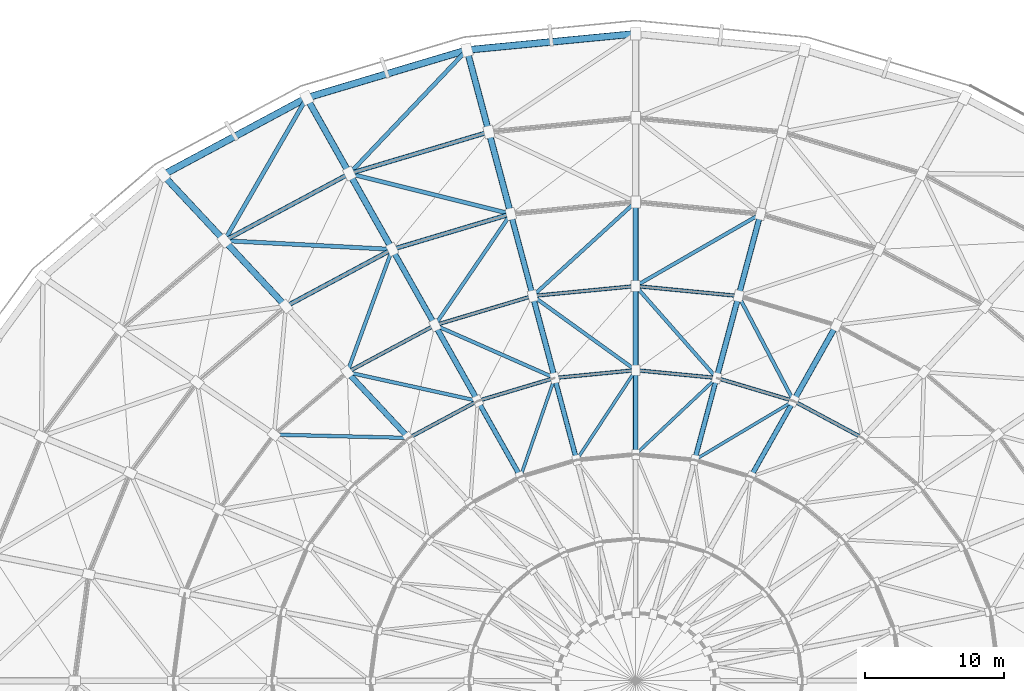
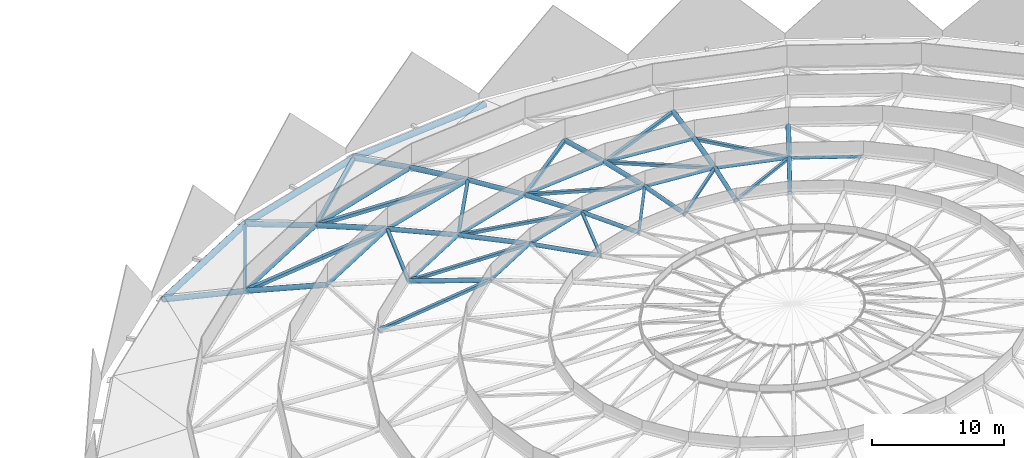
# One storey, part 14 of 27: 53 members, 3 beams.
"""IFC4 building model written with IfcOpenShell, lengths in metres."""

from ifc_helpers import new_model, si_unit, direction, frame, origin, origin_2d, place, context, subcontext, project, spatial, hollow_rectangle, hollow_circle, extrude, material, material_profile, profile_set, type_object, element, save


model = new_model("IFC4")

# Units and contexts
model_context = context("Model", 3, precision=1e-05, world=origin(), true_north=direction((0.0, 1.0)))
body_context = subcontext(model_context, "Body", "Model", "MODEL_VIEW")
ifc_project = project(units=[si_unit("LENGTHUNIT", "METRE"), si_unit("AREAUNIT", "SQUARE_METRE"), si_unit("VOLUMEUNIT", "CUBIC_METRE"), si_unit("PLANEANGLEUNIT", "RADIAN"), si_unit("MASSUNIT", "GRAM", prefix="KILO")], contexts=[model_context])

# Site, building, storey
site_placement = place(None, origin())
site = spatial("IfcSite", under=ifc_project, at=site_placement, CompositionType="ELEMENT")
building_placement = place(site_placement, origin())
building = spatial("IfcBuilding", under=site, at=building_placement, Name="Cuetzalor Civic Arena", CompositionType="ELEMENT")
storey_placement = place(building_placement, frame((0.0, 0.0, 31.800048828125)))
storey = spatial("IfcBuildingStorey", under=building, at=storey_placement, Name="Roof", CompositionType="ELEMENT", Elevation=31.800048828125)

# Members
ifc_material_1 = material(Name="Steel S355J2H", Category="steel")
ifc_material_profile_1 = material_profile(ifc_material_1, hollow_circle(Radius=0.136474609375, WallThickness=0.010009765625, at=origin_2d()), Name="CHS 273x10")
ifc_profile_set_1 = profile_set([ifc_material_profile_1], Name="Steel S355J2H")
member_type_1 = type_object("IfcMemberType", Name="DomeAnnularChord_CHS273", PredefinedType="CHORD", material=ifc_profile_set_1)
for number, where, z_axis, x_axis, name in (
    (1, (7.402587890625, 27.683837890625, 5.66650390625), (-0.995411254916, 0.09568925533, 0.0), (-0.09568925533, -0.995411254916, 0.0), "Dome Roof Truss Annular Ring Chord R3-S07"),
    (2, (-0.001953125, 28.395263671875, 5.66650390625), (-0.995411254916, -0.09568925533, 0.0), (0.09568925533, -0.995411254916, 0.0), "Dome Roof Truss Annular Ring Chord R3-S08"),
):
    element("IfcMember", number, at=place(storey_placement, frame(where, z_axis=z_axis, x_axis=x_axis)), inside=storey, type_object=member_type_1, Name=name, PredefinedType="CHORD", context=body_context, shape_type="SweptSolid", body=[
        extrude(hollow_circle(Radius=0.136474609375, WallThickness=0.010009765625, at=origin_2d()), origin(), (0.0, 0.0, 1.0), 7.434814453125),
    ])
member_1_placement = place(storey_placement, frame((-7.406494140625, 27.68310546875, 5.66650390625), z_axis=(-0.95818823999, -0.286138597091, 0.0), x_axis=(0.286138597091, -0.95818823999, 0.0)))
element("IfcMember", 3, at=member_1_placement, inside=storey, type_object=member_type_1, Name="Dome Roof Truss Annular Ring Chord R3-S09", PredefinedType="CHORD", context=body_context, shape_type="SweptSolid", body=[
    extrude(hollow_circle(Radius=0.136474609375, WallThickness=0.010009765625, at=origin_2d()), origin(), (0.0, 0.0, 1.0), 7.3359375),
])
member_2_placement = place(storey_placement, frame((-14.439453125, 25.58251953125, 5.66650390625), z_axis=(-0.881301350206, -0.472554684799, 0.0), x_axis=(0.472554684799, -0.881301350206, 0.0)))
element("IfcMember", 4, at=member_2_placement, inside=storey, type_object=member_type_1, Name="Dome Roof Truss Annular Ring Chord R3-S10", PredefinedType="CHORD", context=body_context, shape_type="SweptSolid", body=[
    extrude(hollow_circle(Radius=0.136474609375, WallThickness=0.010009765625, at=origin_2d()), origin(), (0.0, 0.0, 1.0), 7.155029296875),
])
member_3_placement = place(storey_placement, frame((16.32373046875, 17.47021484375, 7.077392578125), z_axis=(-0.881303896361, 0.47254993626, 0.0), x_axis=(-0.47254993626, -0.881303896361, 0.0)))
element("IfcMember", 5, at=member_3_placement, inside=storey, type_object=member_type_1, Name="Dome Roof Truss Annular Ring Chord R4-S05", PredefinedType="CHORD", context=body_context, shape_type="SweptSolid", body=[
    extrude(hollow_circle(Radius=0.136474609375, WallThickness=0.010009765625, at=origin_2d()), origin(), (0.0, 0.0, 1.0), 5.62939453125),
])
member_4_placement = place(storey_placement, frame((11.35888671875, 20.1318359375, 7.077392578125), z_axis=(-0.958196861793, 0.286109723797, 0.0), x_axis=(-0.286109723797, -0.958196861793, 0.0)))
element("IfcMember", 6, at=member_4_placement, inside=storey, type_object=member_type_1, Name="Dome Roof Truss Annular Ring Chord R4-S06", PredefinedType="CHORD", context=body_context, shape_type="SweptSolid", body=[
    extrude(hollow_circle(Radius=0.136474609375, WallThickness=0.010009765625, at=origin_2d()), origin(), (0.0, 0.0, 1.0), 5.771728515625),
])
for number, where, z_axis, x_axis, name in (
    (7, (5.824462890625, 21.783935546875, 7.077392578125), (-0.995409717316, 0.095705248933, 0.0), (-0.095705248933, -0.995409717316, 0.0), "Dome Roof Truss Annular Ring Chord R4-S07"),
    (8, (-0.001953125, 22.34375, 7.077392578125), (-0.995409717316, -0.095705248933, 0.0), (0.095705248933, -0.995409717316, 0.0), "Dome Roof Truss Annular Ring Chord R4-S08"),
):
    element("IfcMember", number, at=place(storey_placement, frame(where, z_axis=z_axis, x_axis=x_axis)), inside=storey, type_object=member_type_1, Name=name, PredefinedType="CHORD", context=body_context, shape_type="SweptSolid", body=[
        extrude(hollow_circle(Radius=0.136474609375, WallThickness=0.010009765625, at=origin_2d()), origin(), (0.0, 0.0, 1.0), 5.849365234375),
    ])
member_5_placement = place(storey_placement, frame((-5.828369140625, 21.783203125, 7.077392578125), z_axis=(-0.958196861793, -0.286109723797, 0.0), x_axis=(0.286109723797, -0.958196861793, 0.0)))
element("IfcMember", 9, at=member_5_placement, inside=storey, type_object=member_type_1, Name="Dome Roof Truss Annular Ring Chord R4-S09", PredefinedType="CHORD", context=body_context, shape_type="SweptSolid", body=[
    extrude(hollow_circle(Radius=0.136474609375, WallThickness=0.010009765625, at=origin_2d()), origin(), (0.0, 0.0, 1.0), 5.771728515625),
])
member_6_placement = place(storey_placement, frame((-11.362548828125, 20.13037109375, 7.077392578125), z_axis=(-0.881303896361, -0.47254993626, 0.0), x_axis=(0.47254993626, -0.881303896361, 0.0)))
element("IfcMember", 10, at=member_6_placement, inside=storey, type_object=member_type_1, Name="Dome Roof Truss Annular Ring Chord R4-S10", PredefinedType="CHORD", context=body_context, shape_type="SweptSolid", body=[
    extrude(hollow_circle(Radius=0.136474609375, WallThickness=0.010009765625, at=origin_2d()), origin(), (0.0, 0.0, 1.0), 5.62939453125),
])
ifc_material_2 = material(Name="Steel S355J2H", Category="steel")
ifc_material_profile_2 = material_profile(ifc_material_2, hollow_circle(Radius=0.161865234375, WallThickness=0.012451171875, at=origin_2d()), Name="CHS 323.9x12.5")
ifc_profile_set_2 = profile_set([ifc_material_profile_2], Name="Steel S355J2H")
member_type_2 = type_object("IfcMemberType", Name="DomeAnnularChord_CHS323", PredefinedType="CHORD", material=ifc_profile_set_2)
member_7_placement = place(storey_placement, frame((-10.5625, 39.482421875, 2.11083984375), z_axis=(-0.958199827791, -0.286099790319, 0.0), x_axis=(0.286099790319, -0.958199827791, 0.0)))
element("IfcMember", 11, at=member_7_placement, inside=storey, type_object=member_type_2, Name="Dome Roof Truss Annular Ring Chord R1-S09", PredefinedType="CHORD", context=body_context, shape_type="SweptSolid", body=[
    extrude(hollow_circle(Radius=0.161865234375, WallThickness=0.012451171875, at=origin_2d()), origin(), (0.0, 0.0, 1.0), 10.464599609375),
])
member_8_placement = place(storey_placement, frame((-20.59326171875, 36.487060546875, 2.11083984375), z_axis=(-0.881293921097, -0.472568539619, 0.0), x_axis=(0.472568539619, -0.881293921097, 0.0)))
element("IfcMember", 12, at=member_8_placement, inside=storey, type_object=member_type_2, Name="Dome Roof Truss Annular Ring Chord R1-S10", PredefinedType="CHORD", context=body_context, shape_type="SweptSolid", body=[
    extrude(hollow_circle(Radius=0.161865234375, WallThickness=0.012451171875, at=origin_2d()), origin(), (0.0, 0.0, 1.0), 10.20654296875),
])
member_9_placement = place(storey_placement, frame((-8.984375, 33.582763671875, 4.004638671875), z_axis=(-0.958199935084, -0.286099430978, 0.0), x_axis=(0.286099430978, -0.958199935084, 0.0)))
element("IfcMember", 13, at=member_9_placement, inside=storey, type_object=member_type_2, Name="Dome Roof Truss Annular Ring Chord R2-S09", PredefinedType="CHORD", context=body_context, shape_type="SweptSolid", body=[
    extrude(hollow_circle(Radius=0.161865234375, WallThickness=0.012451171875, at=origin_2d()), origin(), (0.0, 0.0, 1.0), 8.900390625),
])
member_10_placement = place(storey_placement, frame((-17.516357421875, 31.034912109375, 4.004638671875), z_axis=(-0.881287985767, -0.47257960826, 0.0), x_axis=(0.47257960826, -0.881287985767, 0.0)))
element("IfcMember", 14, at=member_10_placement, inside=storey, type_object=member_type_2, Name="Dome Roof Truss Annular Ring Chord R2-S10", PredefinedType="CHORD", context=body_context, shape_type="SweptSolid", body=[
    extrude(hollow_circle(Radius=0.161865234375, WallThickness=0.012451171875, at=origin_2d()), origin(), (0.0, 0.0, 1.0), 8.6806640625),
])
ifc_material_3 = material(Name="Steel S355J2H", Category="steel")
ifc_material_profile_3 = material_profile(ifc_material_3, hollow_rectangle(XDim=0.219970703125, YDim=0.219970703125, WallThickness=0.010009765625, at=origin_2d()), Name="RHS 220x220x10")
ifc_profile_set_3 = profile_set([ifc_material_profile_3], Name="Steel S355J2H")
member_type_3 = type_object("IfcMemberType", Name="DomeLamellaStrut_RHS220", PredefinedType="STRUT", material=ifc_profile_set_3)
member_11_placement = place(storey_placement, frame((11.359130859375, 20.130126953125, 7.07763671875), z_axis=(-0.850650562001, -0.50797142565, 0.135494103529), x_axis=(0.512699461786, -0.858568146325, 0.0)))
element("IfcMember", 15, at=member_11_placement, inside=storey, type_object=member_type_3, Name="Dome Roof Truss Lamella Strut R5-S06", PredefinedType="STRUT", context=body_context, shape_type="SweptSolid", body=[
    extrude(hollow_rectangle(XDim=0.219970703125, YDim=0.219970703125, WallThickness=0.010009765625, at=origin_2d()), origin(), (0.0, 0.0, 1.0), 8.35693359375),
])
member_12_placement = place(storey_placement, frame((5.8251953125, 21.782470703125, 7.07763671875), z_axis=(-0.720562810825, -0.679088310143, 0.140101044546), x_axis=(0.685852730665, -0.727740360183, 0.0)))
element("IfcMember", 16, at=member_12_placement, inside=storey, type_object=member_type_3, Name="Dome Roof Truss Lamella Strut R5-S07", PredefinedType="STRUT", context=body_context, shape_type="SweptSolid", body=[
    extrude(hollow_rectangle(XDim=0.219970703125, YDim=0.219970703125, WallThickness=0.010009765625, at=origin_2d()), origin(), (0.0, 0.0, 1.0), 8.082275390625),
])
member_13_placement = place(storey_placement, frame((-0.001220703125, 22.34228515625, 7.07763671875), z_axis=(-0.543663648275, -0.826686340977, 0.144981140795), x_axis=(0.835514032454, -0.549469108842, 0.0)))
element("IfcMember", 17, at=member_13_placement, inside=storey, type_object=member_type_3, Name="Dome Roof Truss Lamella Strut R5-S08", PredefinedType="STRUT", context=body_context, shape_type="SweptSolid", body=[
    extrude(hollow_rectangle(XDim=0.219970703125, YDim=0.219970703125, WallThickness=0.010009765625, at=origin_2d()), origin(), (0.0, 0.0, 1.0), 7.81005859375),
])
member_14_placement = place(storey_placement, frame((-5.8271484375, 21.781982421875, 7.07763671875), z_axis=(-0.323222124319, -0.934516770173, 0.149016323319), x_axis=(0.945068711711, -0.326871733474, 0.0)))
element("IfcMember", 18, at=member_14_placement, inside=storey, type_object=member_type_3, Name="Dome Roof Truss Lamella Strut R5-S09", PredefinedType="STRUT", context=body_context, shape_type="SweptSolid", body=[
    extrude(hollow_rectangle(XDim=0.219970703125, YDim=0.219970703125, WallThickness=0.010009765625, at=origin_2d()), origin(), (0.0, 0.0, 1.0), 7.5986328125),
])
ifc_material_4 = material(Name="Steel S355J2H", Category="steel")
ifc_material_profile_4 = material_profile(ifc_material_4, hollow_rectangle(XDim=0.260009765625, YDim=0.260009765625, WallThickness=0.012451171875, at=origin_2d()), Name="RHS 260x260x12.5")
ifc_profile_set_4 = profile_set([ifc_material_profile_4], Name="Steel S355J2H")
member_type_4 = type_object("IfcMemberType", Name="DomeLamellaStrut_RHS260", PredefinedType="STRUT", material=ifc_profile_set_4)
member_15_placement = place(storey_placement, frame((8.980712890625, 33.582275390625, 4.0048828125), z_axis=(-0.855045852603, -0.493828619151, 0.158208358991), x_axis=(0.500127348, -0.865951866897, 0.0)))
element("IfcMember", 19, at=member_15_placement, inside=storey, type_object=member_type_4, Name="Dome Roof Truss Lamella Strut R3-S07", PredefinedType="STRUT", context=body_context, shape_type="SweptSolid", body=[
    extrude(hollow_rectangle(XDim=0.260009765625, YDim=0.260009765625, WallThickness=0.012451171875, at=origin_2d()), origin(), (0.0, 0.0, 1.0), 10.501220703125),
])
member_16_placement = place(storey_placement, frame((-0.00146484375, 34.44580078125, 4.0048828125), z_axis=(-0.728401472183, -0.6653567955, 0.163498103975), x_axis=(0.674432192279, -0.738336791727, 0.0)))
element("IfcMember", 20, at=member_16_placement, inside=storey, type_object=member_type_4, Name="Dome Roof Truss Lamella Strut R3-S08", PredefinedType="STRUT", context=body_context, shape_type="SweptSolid", body=[
    extrude(hollow_rectangle(XDim=0.260009765625, YDim=0.260009765625, WallThickness=0.012451171875, at=origin_2d()), origin(), (0.0, 0.0, 1.0), 10.161376953125),
])
member_17_placement = place(storey_placement, frame((-8.983642578125, 33.581787109375, 4.0048828125), z_axis=(-0.555263009598, -0.81428630474, 0.169176842638), x_axis=(0.826195321964, -0.563383785677, 0.0)))
element("IfcMember", 21, at=member_17_placement, inside=storey, type_object=member_type_4, Name="Dome Roof Truss Lamella Strut R3-S09", PredefinedType="STRUT", context=body_context, shape_type="SweptSolid", body=[
    extrude(hollow_rectangle(XDim=0.260009765625, YDim=0.260009765625, WallThickness=0.012451171875, at=origin_2d()), origin(), (0.0, 0.0, 1.0), 9.8203125),
])
member_18_placement = place(storey_placement, frame((-17.515380859375, 31.033935546875, 4.0048828125), z_axis=(-0.338310623658, -0.924812854243, 0.173974442227), x_axis=(0.939134497519, -0.343549698835, 0.0)))
element("IfcMember", 22, at=member_18_placement, inside=storey, type_object=member_type_4, Name="Dome Roof Truss Lamella Strut R3-S10", PredefinedType="STRUT", context=body_context, shape_type="SweptSolid", body=[
    extrude(hollow_rectangle(XDim=0.260009765625, YDim=0.260009765625, WallThickness=0.012451171875, at=origin_2d()), origin(), (0.0, 0.0, 1.0), 9.549560546875),
])
member_19_placement = place(storey_placement, frame((7.405517578125, 27.681884765625, 5.666748046875), z_axis=(0.457786319709, -0.873940284726, 0.163279099152), x_axis=(0.885828170888, 0.464013417544, 0.0)))
element("IfcMember", 23, at=member_19_placement, inside=storey, type_object=member_type_4, Name="Dome Roof Truss Lamella Strut R4-S07", PredefinedType="STRUT", context=body_context, shape_type="SweptSolid", body=[
    extrude(hollow_rectangle(XDim=0.260009765625, YDim=0.260009765625, WallThickness=0.012451171875, at=origin_2d()), origin(), (0.0, 0.0, 1.0), 8.637939453125),
])
member_20_placement = place(storey_placement, frame((0.001220703125, 28.39404296875, 5.666748046875), z_axis=(0.652847683617, -0.740806285803, 0.15810107182), x_axis=(0.750242130403, 0.661163176355, 0.0)))
element("IfcMember", 24, at=member_20_placement, inside=storey, type_object=member_type_4, Name="Dome Roof Truss Lamella Strut R4-S08", PredefinedType="STRUT", context=body_context, shape_type="SweptSolid", body=[
    extrude(hollow_rectangle(XDim=0.260009765625, YDim=0.260009765625, WallThickness=0.012451171875, at=origin_2d()), origin(), (0.0, 0.0, 1.0), 8.9208984375),
])
member_21_placement = place(storey_placement, frame((-7.40283203125, 27.682373046875, 5.666748046875), z_axis=(0.801581351977, -0.578042880936, 0.152753932719), x_axis=(0.584907203216, 0.811100217991, 0.0)))
element("IfcMember", 25, at=member_21_placement, inside=storey, type_object=member_type_4, Name="Dome Roof Truss Lamella Strut R4-S09", PredefinedType="STRUT", context=body_context, shape_type="SweptSolid", body=[
    extrude(hollow_rectangle(XDim=0.260009765625, YDim=0.260009765625, WallThickness=0.012451171875, at=origin_2d()), origin(), (0.0, 0.0, 1.0), 9.233154296875),
])
member_22_placement = place(storey_placement, frame((-14.435791015625, 25.582763671875, 5.666748046875), z_axis=(0.904779745152, -0.399241504859, 0.148255973104), x_axis=(0.403702816141, 0.914890177147, 0.0)))
element("IfcMember", 26, at=member_22_placement, inside=storey, type_object=member_type_4, Name="Dome Roof Truss Lamella Strut R4-S10", PredefinedType="STRUT", context=body_context, shape_type="SweptSolid", body=[
    extrude(hollow_rectangle(XDim=0.260009765625, YDim=0.260009765625, WallThickness=0.012451171875, at=origin_2d()), origin(), (0.0, 0.0, 1.0), 9.51318359375),
])
member_23_placement = place(storey_placement, frame((-20.7451171875, 22.2001953125, 5.666748046875), z_axis=(0.966190978198, -0.213024620304, 0.145242916499), x_axis=(0.215307738075, 0.976546249762, 0.0)))
element("IfcMember", 27, at=member_23_placement, inside=storey, type_object=member_type_4, Name="Dome Roof Truss Lamella Strut R4-S11", PredefinedType="STRUT", context=body_context, shape_type="SweptSolid", body=[
    extrude(hollow_rectangle(XDim=0.260009765625, YDim=0.260009765625, WallThickness=0.012451171875, at=origin_2d()), origin(), (0.0, 0.0, 1.0), 9.710693359375),
])
member_24_placement = place(storey_placement, frame((-26.013916015625, 17.704345703125, 5.666748046875), z_axis=(0.989279999617, -0.024011408399, 0.144043516428), x_axis=(0.024264453789, 0.999705574798, 0.0)))
element("IfcMember", 28, at=member_24_placement, inside=storey, type_object=member_type_4, Name="Dome Roof Truss Lamella Strut R4-S12", PredefinedType="STRUT", context=body_context, shape_type="SweptSolid", body=[
    extrude(hollow_rectangle(XDim=0.260009765625, YDim=0.260009765625, WallThickness=0.012451171875, at=origin_2d()), origin(), (0.0, 0.0, 1.0), 9.79150390625),
])
ifc_material_5 = material(Name="Steel S355J2H", Category="steel")
ifc_material_profile_5 = material_profile(ifc_material_5, hollow_rectangle(XDim=0.300048828125, YDim=0.300048828125, WallThickness=0.013916015625, at=origin_2d()), Name="RHS 300x300x14")
ifc_profile_set_5 = profile_set([ifc_material_profile_5], Name="Steel S355J2H")
member_type_5 = type_object("IfcMemberType", Name="DomeLamellaStrut_RHS300", PredefinedType="STRUT", material=ifc_profile_set_5)
member_25_placement = place(storey_placement, frame((-12.139892578125, 45.381591796875, 0.000244140625), z_axis=(-0.678882788729, -0.714403900782, 0.169544170397), x_axis=(0.724898554778, -0.688855634571, 0.0)))
element("IfcMember", 29, at=member_25_placement, inside=storey, type_object=member_type_5, Name="Dome Roof Truss Lamella Strut R1-S09", PredefinedType="STRUT", context=body_context, shape_type="SweptSolid", body=[
    extrude(hollow_rectangle(XDim=0.300048828125, YDim=0.300048828125, WallThickness=0.013916015625, at=origin_2d()), origin(), (0.0, 0.0, 1.0), 12.447265625),
])
member_26_placement = place(storey_placement, frame((-23.66943359375, 41.9384765625, 0.000244140625), z_axis=(-0.491511342188, -0.853059836288, 0.175229895318), x_axis=(0.866466196882, -0.499235745576, 0.0)))
element("IfcMember", 30, at=member_26_placement, inside=storey, type_object=member_type_5, Name="Dome Roof Truss Lamella Strut R1-S10", PredefinedType="STRUT", context=body_context, shape_type="SweptSolid", body=[
    extrude(hollow_rectangle(XDim=0.300048828125, YDim=0.300048828125, WallThickness=0.013916015625, at=origin_2d()), origin(), (0.0, 0.0, 1.0), 12.043212890625),
])
member_27_placement = place(storey_placement, frame((-20.589599609375, 36.4873046875, 2.111328125), z_axis=(0.958175295052, -0.239730278407, 0.156299384408), x_axis=(0.24271329131, 0.970098066291, 0.0)))
element("IfcMember", 31, at=member_27_placement, inside=storey, type_object=member_type_5, Name="Dome Roof Truss Lamella Strut R2-S10", PredefinedType="STRUT", context=body_context, shape_type="SweptSolid", body=[
    extrude(hollow_rectangle(XDim=0.300048828125, YDim=0.300048828125, WallThickness=0.013916015625, at=origin_2d()), origin(), (0.0, 0.0, 1.0), 12.11181640625),
])
member_28_placement = place(storey_placement, frame((-29.587890625, 31.662841796875, 2.111328125), z_axis=(0.986627481073, -0.051243009696, 0.154726751239), x_axis=(0.051867635922, 0.998653968271, 0.0)))
element("IfcMember", 32, at=member_28_placement, inside=storey, type_object=member_type_5, Name="Dome Roof Truss Lamella Strut R2-S11", PredefinedType="STRUT", context=body_context, shape_type="SweptSolid", body=[
    extrude(hollow_rectangle(XDim=0.300048828125, YDim=0.300048828125, WallThickness=0.013916015625, at=origin_2d()), origin(), (0.0, 0.0, 1.0), 12.23486328125),
])
ifc_material_6 = material(Name="Steel S355J2H", Category="steel")
ifc_material_profile_6 = material_profile(ifc_material_6, hollow_circle(Radius=0.177734375, WallThickness=0.01416015625, at=origin_2d()), Name="CHS 355.6x14.2")
ifc_profile_set_6 = profile_set([ifc_material_profile_6], Name="Steel S355J2H")
member_type_6 = type_object("IfcMemberType", Name="DomeRadialChord_CHS355", PredefinedType="CHORD", material=ifc_profile_set_6)
member_29_placement = place(storey_placement, frame((11.35986328125, 20.12939453125, 7.07763671875), z_axis=(-0.483623115844, -0.856967105948, 0.178090036624), x_axis=(0.870888965852, -0.491479815615, 0.0)))
element("IfcMember", 33, at=member_29_placement, inside=storey, type_object=member_type_6, Name="Dome Roof Truss Radial Chord R5-S06", PredefinedType="CHORD", context=body_context, shape_type="SweptSolid", body=[
    extrude(hollow_circle(Radius=0.177734375, WallThickness=0.01416015625, at=origin_2d()), origin(), (0.0, 0.0, 1.0), 6.358154296875),
])
member_30_placement = place(storey_placement, frame((5.825927734375, 21.781982421875, 7.07763671875), z_axis=(-0.254037053741, -0.949836638464, 0.182415831437), x_axis=(0.966045458532, -0.25837215804, 0.0)))
element("IfcMember", 34, at=member_30_placement, inside=storey, type_object=member_type_6, Name="Dome Roof Truss Radial Chord R5-S07", PredefinedType="CHORD", context=body_context, shape_type="SweptSolid", body=[
    extrude(hollow_circle(Radius=0.177734375, WallThickness=0.01416015625, at=origin_2d()), origin(), (0.0, 0.0, 1.0), 6.207275390625),
])
member_31_placement = place(storey_placement, frame((0.0, 22.342041015625, 7.07763671875), z_axis=(0.0, -0.982919321825, 0.184036971241), x_axis=(1.0, 0.0, 0.0)))
element("IfcMember", 35, at=member_31_placement, inside=storey, type_object=member_type_6, Name="Dome Roof Truss Radial Chord R5-S08", PredefinedType="CHORD", context=body_context, shape_type="SweptSolid", body=[
    extrude(hollow_circle(Radius=0.177734375, WallThickness=0.01416015625, at=origin_2d()), origin(), (0.0, 0.0, 1.0), 6.152587890625),
])
member_32_placement = place(storey_placement, frame((-5.825927734375, 21.781982421875, 7.07763671875), z_axis=(0.254037053741, -0.949836638464, 0.182415831437), x_axis=(0.966045458532, 0.25837215804, 0.0)))
element("IfcMember", 36, at=member_32_placement, inside=storey, type_object=member_type_6, Name="Dome Roof Truss Radial Chord R5-S09", PredefinedType="CHORD", context=body_context, shape_type="SweptSolid", body=[
    extrude(hollow_circle(Radius=0.177734375, WallThickness=0.01416015625, at=origin_2d()), origin(), (0.0, 0.0, 1.0), 6.207275390625),
])
member_33_placement = place(storey_placement, frame((-11.35986328125, 20.12939453125, 7.07763671875), z_axis=(0.483623115844, -0.856967105948, 0.178090036624), x_axis=(0.870888965852, 0.491479815615, 0.0)))
element("IfcMember", 37, at=member_33_placement, inside=storey, type_object=member_type_6, Name="Dome Roof Truss Radial Chord R5-S10", PredefinedType="CHORD", context=body_context, shape_type="SweptSolid", body=[
    extrude(hollow_circle(Radius=0.177734375, WallThickness=0.01416015625, at=origin_2d()), origin(), (0.0, 0.0, 1.0), 6.358154296875),
])
ifc_material_7 = material(Name="Steel S355J2H", Category="steel")
ifc_material_profile_7 = material_profile(ifc_material_7, hollow_circle(Radius=0.202880859375, WallThickness=0.01611328125, at=origin_2d()), Name="CHS 406x16")
ifc_profile_set_7 = profile_set([ifc_material_profile_7], Name="Steel S355J2H")
member_type_7 = type_object("IfcMemberType", Name="DomeRadialChord_CHS406", PredefinedType="CHORD", material=ifc_profile_set_7)
member_34_placement = place(storey_placement, frame((8.98193359375, 33.581298828125, 4.005126953125), z_axis=(-0.249314663457, -0.932141168575, 0.262592917712), x_axis=(0.966042788004, -0.258382142852, 0.0)))
element("IfcMember", 38, at=member_34_placement, inside=storey, type_object=member_type_7, Name="Dome Roof Truss Radial Chord R3-S07", PredefinedType="CHORD", context=body_context, shape_type="SweptSolid", body=[
    extrude(hollow_circle(Radius=0.202880859375, WallThickness=0.01611328125, at=origin_2d()), origin(), (0.0, 0.0, 1.0), 6.324951171875),
])
member_35_placement = place(storey_placement, frame((0.0, 34.445068359375, 4.005126953125), z_axis=(0.0, -0.964295160048, 0.264829840289), x_axis=(1.0, 0.0, 0.0)))
element("IfcMember", 39, at=member_35_placement, inside=storey, type_object=member_type_7, Name="Dome Roof Truss Radial Chord R3-S08", PredefinedType="CHORD", context=body_context, shape_type="SweptSolid", body=[
    extrude(hollow_circle(Radius=0.202880859375, WallThickness=0.01611328125, at=origin_2d()), origin(), (0.0, 0.0, 1.0), 6.271484375),
])
member_36_placement = place(storey_placement, frame((-8.98193359375, 33.581298828125, 4.005126953125), z_axis=(0.249314663457, -0.932141168575, 0.262592917712), x_axis=(0.966042788004, 0.258382142852, 0.0)))
element("IfcMember", 40, at=member_36_placement, inside=storey, type_object=member_type_7, Name="Dome Roof Truss Radial Chord R3-S09", PredefinedType="CHORD", context=body_context, shape_type="SweptSolid", body=[
    extrude(hollow_circle(Radius=0.202880859375, WallThickness=0.01611328125, at=origin_2d()), origin(), (0.0, 0.0, 1.0), 6.324951171875),
])
member_37_placement = place(storey_placement, frame((-17.513671875, 31.033935546875, 4.005126953125), z_axis=(0.475026733206, -0.841734547971, 0.256578552283), x_axis=(0.870888965852, 0.491479815615, 0.0)))
element("IfcMember", 41, at=member_37_placement, inside=storey, type_object=member_type_7, Name="Dome Roof Truss Radial Chord R3-S10", PredefinedType="CHORD", context=body_context, shape_type="SweptSolid", body=[
    extrude(hollow_circle(Radius=0.202880859375, WallThickness=0.01611328125, at=origin_2d()), origin(), (0.0, 0.0, 1.0), 6.47314453125),
])
member_38_placement = place(storey_placement, frame((14.436767578125, 25.581787109375, 5.666748046875), z_axis=(-0.479436916899, -0.849587340077, 0.219867219691), x_axis=(0.870898391186, -0.491463113804, 0.0)))
element("IfcMember", 42, at=member_38_placement, inside=storey, type_object=member_type_7, Name="Dome Roof Truss Radial Chord R4-S06", PredefinedType="CHORD", context=body_context, shape_type="SweptSolid", body=[
    extrude(hollow_circle(Radius=0.202880859375, WallThickness=0.01611328125, at=origin_2d()), origin(), (0.0, 0.0, 1.0), 6.41357421875),
])
member_39_placement = place(storey_placement, frame((7.404052734375, 27.681640625, 5.6669921875), z_axis=(-0.251778726103, -0.941247095263, 0.225080827128), x_axis=(0.966035473474, -0.258409488971, 0.0)))
element("IfcMember", 43, at=member_39_placement, inside=storey, type_object=member_type_7, Name="Dome Roof Truss Radial Chord R4-S07", PredefinedType="CHORD", context=body_context, shape_type="SweptSolid", body=[
    extrude(hollow_circle(Radius=0.202880859375, WallThickness=0.01611328125, at=origin_2d()), origin(), (0.0, 0.0, 1.0), 6.263916015625),
])
member_40_placement = place(storey_placement, frame((0.0, 28.3935546875, 5.6669921875), z_axis=(0.0, -0.973883822353, 0.227046912684), x_axis=(1.0, 0.0, 0.0)))
element("IfcMember", 44, at=member_40_placement, inside=storey, type_object=member_type_7, Name="Dome Roof Truss Radial Chord R4-S08", PredefinedType="CHORD", context=body_context, shape_type="SweptSolid", body=[
    extrude(hollow_circle(Radius=0.202880859375, WallThickness=0.01611328125, at=origin_2d()), origin(), (0.0, 0.0, 1.0), 6.209716796875),
])
member_41_placement = place(storey_placement, frame((-7.404052734375, 27.681640625, 5.6669921875), z_axis=(0.251778726103, -0.941247095263, 0.225080827128), x_axis=(0.966035473474, 0.258409488971, 0.0)))
element("IfcMember", 45, at=member_41_placement, inside=storey, type_object=member_type_7, Name="Dome Roof Truss Radial Chord R4-S09", PredefinedType="CHORD", context=body_context, shape_type="SweptSolid", body=[
    extrude(hollow_circle(Radius=0.202880859375, WallThickness=0.01611328125, at=origin_2d()), origin(), (0.0, 0.0, 1.0), 6.263916015625),
])
member_42_placement = place(storey_placement, frame((-14.436767578125, 25.581787109375, 5.666748046875), z_axis=(0.479436916899, -0.849587340077, 0.219867219691), x_axis=(0.870898391186, 0.491463113804, 0.0)))
element("IfcMember", 46, at=member_42_placement, inside=storey, type_object=member_type_7, Name="Dome Roof Truss Radial Chord R4-S10", PredefinedType="CHORD", context=body_context, shape_type="SweptSolid", body=[
    extrude(hollow_circle(Radius=0.202880859375, WallThickness=0.01611328125, at=origin_2d()), origin(), (0.0, 0.0, 1.0), 6.41357421875),
])
member_43_placement = place(storey_placement, frame((-20.74560546875, 22.19921875, 5.666748046875), z_axis=(0.667112883758, -0.713887083961, 0.212898172086), x_axis=(0.730637390049, 0.682765702318, 0.0)))
element("IfcMember", 47, at=member_43_placement, inside=storey, type_object=member_type_7, Name="Dome Roof Truss Radial Chord R4-S11", PredefinedType="CHORD", context=body_context, shape_type="SweptSolid", body=[
    extrude(hollow_circle(Radius=0.202880859375, WallThickness=0.01611328125, at=origin_2d()), origin(), (0.0, 0.0, 1.0), 6.62353515625),
])
ifc_material_8 = material(Name="Steel S355J2H", Category="steel")
ifc_material_profile_8 = material_profile(ifc_material_8, hollow_circle(Radius=0.228515625, WallThickness=0.01611328125, at=origin_2d()), Name="CHS 457x16")
ifc_profile_set_8 = profile_set([ifc_material_profile_8], Name="Steel S355J2H")
member_type_8 = type_object("IfcMemberType", Name="DomeRadialChord_CHS457", PredefinedType="CHORD", material=ifc_profile_set_8)
member_44_placement = place(storey_placement, frame((-12.137939453125, 45.381103515625, 0.000732421875), z_axis=(0.244187197443, -0.913046138016, 0.326679296037), x_axis=(0.96604812875, 0.258362173972, 0.0)))
element("IfcMember", 48, at=member_44_placement, inside=storey, type_object=member_type_8, Name="Dome Roof Truss Radial Chord R1-S09", PredefinedType="CHORD", context=body_context, shape_type="SweptSolid", body=[
    extrude(hollow_circle(Radius=0.228515625, WallThickness=0.01611328125, at=origin_2d()), origin(), (0.0, 0.0, 1.0), 6.457763671875),
])
member_45_placement = place(storey_placement, frame((-23.66748046875, 41.9384765625, 0.00048828125), z_axis=(0.465726644765, -0.825226499247, 0.319530776759), x_axis=(0.870881689669, 0.491492708592, 0.0)))
element("IfcMember", 49, at=member_45_placement, inside=storey, type_object=member_type_8, Name="Dome Roof Truss Radial Chord R1-S10", PredefinedType="CHORD", context=body_context, shape_type="SweptSolid", body=[
    extrude(hollow_circle(Radius=0.228515625, WallThickness=0.01611328125, at=origin_2d()), origin(), (0.0, 0.0, 1.0), 6.60302734375),
])
member_46_placement = place(storey_placement, frame((-34.010009765625, 36.392822265625, 0.00048828125), z_axis=(0.649140383571, -0.694654453229, 0.309954759645), x_axis=(0.730637390049, 0.682765702318, 0.0)))
element("IfcMember", 50, at=member_46_placement, inside=storey, type_object=member_type_8, Name="Dome Roof Truss Radial Chord R1-S11", PredefinedType="CHORD", context=body_context, shape_type="SweptSolid", body=[
    extrude(hollow_circle(Radius=0.228515625, WallThickness=0.01611328125, at=origin_2d()), origin(), (0.0, 0.0, 1.0), 6.806884765625),
])
member_47_placement = place(storey_placement, frame((-10.56005859375, 39.481201171875, 2.111572265625), z_axis=(0.246815336475, -0.922692008647, 0.29617840377), x_axis=(0.966035473474, 0.258409488971, 0.0)))
element("IfcMember", 51, at=member_47_placement, inside=storey, type_object=member_type_8, Name="Dome Roof Truss Radial Chord R2-S09", PredefinedType="CHORD", context=body_context, shape_type="SweptSolid", body=[
    extrude(hollow_circle(Radius=0.228515625, WallThickness=0.01611328125, at=origin_2d()), origin(), (0.0, 0.0, 1.0), 6.389892578125),
])
member_48_placement = place(storey_placement, frame((-20.590576171875, 36.486083984375, 2.111572265625), z_axis=(0.47045681721, -0.833570597531, 0.289534871945), x_axis=(0.870872263381, 0.491509410769, 0.0)))
element("IfcMember", 52, at=member_48_placement, inside=storey, type_object=member_type_8, Name="Dome Roof Truss Radial Chord R2-S10", PredefinedType="CHORD", context=body_context, shape_type="SweptSolid", body=[
    extrude(hollow_circle(Radius=0.228515625, WallThickness=0.01611328125, at=origin_2d()), origin(), (0.0, 0.0, 1.0), 6.53662109375),
])
member_49_placement = place(storey_placement, frame((-29.588623046875, 31.66162109375, 2.111572265625), z_axis=(0.655340043808, -0.701250053507, 0.280673813238), x_axis=(0.730618571509, 0.682785839752, 0.0)))
element("IfcMember", 53, at=member_49_placement, inside=storey, type_object=member_type_8, Name="Dome Roof Truss Radial Chord R2-S11", PredefinedType="CHORD", context=body_context, shape_type="SweptSolid", body=[
    extrude(hollow_circle(Radius=0.228515625, WallThickness=0.01611328125, at=origin_2d()), origin(), (0.0, 0.0, 1.0), 6.742919921875),
])

# Beams
ifc_material_9 = material(Name="Steel S355J2H", Category="steel")
ifc_material_profile_9 = material_profile(ifc_material_9, hollow_circle(Radius=0.25390625, WallThickness=0.02001953125, at=origin_2d()), Name="CHS 508x20")
ifc_profile_set_9 = profile_set([ifc_material_profile_9], Name="Steel S355J2H")
beam_type = type_object("IfcBeamType", Name="SteelDomeRingBeam_CHS508", PredefinedType="BEAM", material=ifc_profile_set_9)
beam_1_placement = place(storey_placement, frame((-0.001953125, 46.5498046875, 0.0), z_axis=(-0.995409285949, -0.095709735379, 0.0), x_axis=(0.095709735379, -0.995409285949, 0.0)))
element("IfcBeam", 54, at=beam_1_placement, inside=storey, type_object=beam_type, Name="Arena Dome Perimeter Tension Ring Beam S08", PredefinedType="BEAM", context=body_context, shape_type="SweptSolid", body=[
    extrude(hollow_circle(Radius=0.25390625, WallThickness=0.02001953125, at=origin_2d()), origin(), (0.0, 0.0, 1.0), 12.1904296875),
])
beam_2_placement = place(storey_placement, frame((-12.140380859375, 45.38232421875, 0.0), z_axis=(-0.958195845635, -0.286113126939, 0.0), x_axis=(0.286113126939, -0.958195845635, 0.0)))
element("IfcBeam", 55, at=beam_2_placement, inside=storey, type_object=beam_type, Name="Arena Dome Perimeter Tension Ring Beam S09", PredefinedType="BEAM", context=body_context, shape_type="SweptSolid", body=[
    extrude(hollow_circle(Radius=0.25390625, WallThickness=0.02001953125, at=origin_2d()), origin(), (0.0, 0.0, 1.0), 12.029052734375),
])
beam_3_placement = place(storey_placement, frame((-23.670166015625, 41.939208984375, 0.0), z_axis=(-0.881302332023, -0.472552853733, 0.0), x_axis=(0.472552853733, -0.881302332023, 0.0)))
element("IfcBeam", 56, at=beam_3_placement, inside=storey, type_object=beam_type, Name="Arena Dome Perimeter Tension Ring Beam S10", PredefinedType="BEAM", context=body_context, shape_type="SweptSolid", body=[
    extrude(hollow_circle(Radius=0.25390625, WallThickness=0.02001953125, at=origin_2d()), origin(), (0.0, 0.0, 1.0), 11.73193359375),
])

save(model, "model.ifc")
